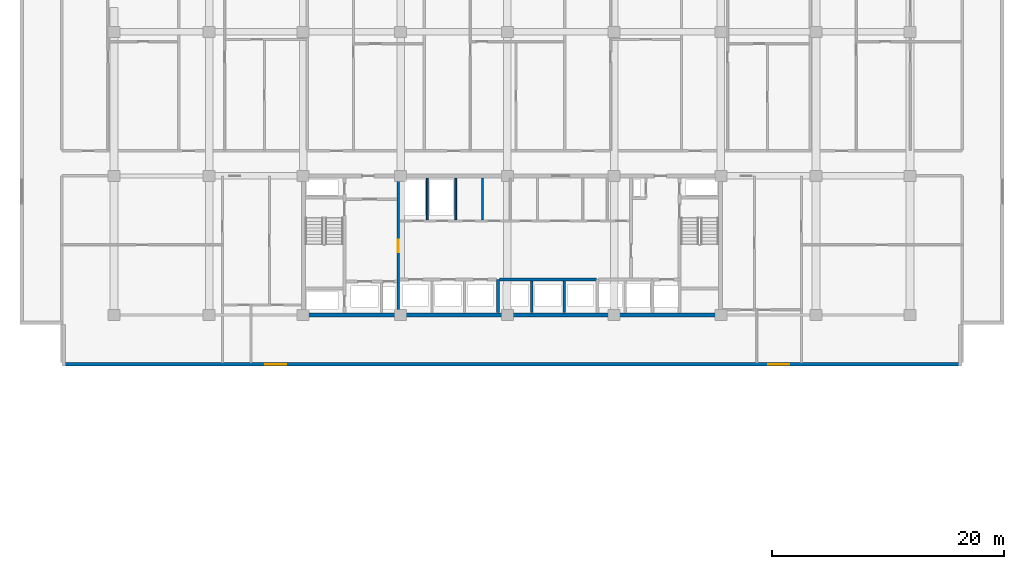
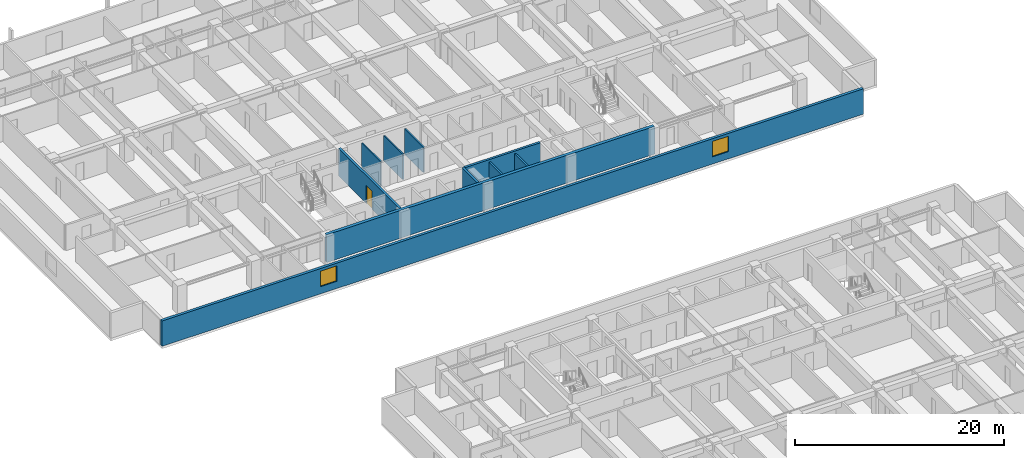
# One storey, part 11 of 23: 10 walls, 2 windows, 1 door, 3 openings.
"""IFC4 building model written with IfcOpenShell, lengths in metres."""

from ifc_helpers import new_model, si_unit, direction, frame, frame_2d, origin, place, context, subcontext, project, spatial, rectangle, extrude, material, layer, layer_set, type_object, element, fill, save


model = new_model("IFC4")

# Units and contexts
model_context = context("Model", 3, precision=1e-05, world=origin(), true_north=direction((0.0, 1.0)))
body_context = subcontext(model_context, "Body", "Model", "MODEL_VIEW")
ifc_project = project(units=[si_unit("LENGTHUNIT", "METRE"), si_unit("AREAUNIT", "SQUARE_METRE"), si_unit("VOLUMEUNIT", "CUBIC_METRE"), si_unit("PLANEANGLEUNIT", "RADIAN"), si_unit("MASSUNIT", "GRAM", prefix="KILO")], contexts=[model_context])

# Site, building, storey
site_placement = place(None, origin())
site = spatial("IfcSite", under=ifc_project, at=site_placement, CompositionType="ELEMENT")
building_placement = place(site_placement, origin())
building = spatial("IfcBuilding", under=site, at=building_placement, Name="Korimba Cascade Residences", CompositionType="ELEMENT")
storey_placement = place(building_placement, frame((0.0, 0.0, 30.5)))
storey = spatial("IfcBuildingStorey", under=building, at=storey_placement, Name="L07", CompositionType="ELEMENT", Elevation=30.5)

# Wall, openings, windows
ifc_material_1 = material(Name="Precast concrete C40/50", Category="concrete")
ifc_layer_1 = layer(ifc_material_1, 0.300048828125)
ifc_layer_set_1 = layer_set([ifc_layer_1], Name="Precast concrete C40/50")
wall_type_1 = type_object("IfcWallType", Name="EW-STONE-300", PredefinedType="STANDARD", material=ifc_layer_set_1)
wall_1_placement = place(storey_placement, frame((55.300048828125, 50.949951171875, 0.0), z_axis=(0.0, 0.0, 1.0), x_axis=(1.0, 0.0, 0.0)))
wall_1 = element("IfcWall", 1, at=wall_1_placement, inside=storey, type_object=wall_type_1, Name="L07 T1 Perimeter Stone Wall E00", PredefinedType="STANDARD", context=body_context, shape_type="SweptSolid", body=[
    extrude(rectangle(XDim=77.599853515625, YDim=0.300048828125, at=frame_2d((38.7998046875, 0.0))), origin(), (0.0, 0.0, 1.0), 2.969970703125),
])
opening_1_placement = place(wall_1_placement, frame((17.52490234375, 0.0, 0.85009765625)))
opening_1 = element("IfcOpeningElement", 2, at=opening_1_placement, cuts=wall_1, Name="Opening W-02", PredefinedType="OPENING", context=body_context, shape_type="SweptSolid", body=[
    extrude(rectangle(XDim=1.800048828125, YDim=1.800048828125, at=frame_2d((0.89990234375, 0.89990234375))), frame((0.0, 0.16015625, 0.0), z_axis=(0.0, -1.0, 0.0), x_axis=(1.0, 0.0, 0.0)), (0.0, 0.0, 1.0), 0.320068359375),
])
opening_2_placement = place(wall_1_placement, frame((60.875, 0.0, 0.85009765625)))
opening_2 = element("IfcOpeningElement", 3, at=opening_2_placement, cuts=wall_1, Name="Opening W-02", PredefinedType="OPENING", context=body_context, shape_type="SweptSolid", body=[
    extrude(rectangle(XDim=1.800048828125, YDim=1.800048828125, at=frame_2d((0.89990234375, 0.89990234375))), frame((0.0, 0.16015625, 0.0), z_axis=(0.0, -1.0, 0.0), x_axis=(1.0, 0.0, 0.0)), (0.0, 0.0, 1.0), 0.320068359375),
])
ifc_material_2 = material(Name="Double-Glazed Aluminium Window", Category="aluminium")
window_type = type_object("IfcWindowType", Name="WIN-BED-1800", PartitioningType="SINGLE_PANEL", PredefinedType="WINDOW", material=ifc_material_2)
window_1_placement = place(opening_1_placement, origin())
window_1 = element("IfcWindow", 4, at=window_1_placement, inside=storey, type_object=window_type, Name="L07 T1 South Corner Bedroom Window 1", OverallHeight=1.800048828125, OverallWidth=1.800048828125, PartitioningType="SINGLE_PANEL", PredefinedType="WINDOW", context=body_context, shape_type="SweptSolid", body=[
    extrude(rectangle(XDim=1.800048828125, YDim=1.800048828125, at=frame_2d((0.89990234375, 0.89990234375))), frame((0.0, 0.030029296875, 0.0), z_axis=(0.0, -1.0, 0.0), x_axis=(1.0, 0.0, 0.0)), (0.0, 0.0, 1.0), 0.06005859375),
])
fill(opening_1, window_1)
window_2_placement = place(opening_2_placement, origin())
window_2 = element("IfcWindow", 5, at=window_2_placement, inside=storey, type_object=window_type, Name="L07 T1 South Corner Bedroom Window 2", OverallHeight=1.800048828125, OverallWidth=1.800048828125, PartitioningType="SINGLE_PANEL", PredefinedType="WINDOW", context=body_context, shape_type="SweptSolid", body=[
    extrude(rectangle(XDim=1.800048828125, YDim=1.800048828125, at=frame_2d((0.89990234375, 0.89990234375))), frame((0.0, 0.030029296875, 0.0), z_axis=(0.0, -1.0, 0.0), x_axis=(1.0, 0.0, 0.0)), (0.0, 0.0, 1.0), 0.06005859375),
])
fill(opening_2, window_2)

# Walls
ifc_material_3 = material(Name="Concrete C65/80", Category="concrete")
ifc_layer_2 = layer(ifc_material_3, 0.35009765625)
ifc_layer_set_2 = layer_set([ifc_layer_2], Name="Concrete C65/80")
wall_type_2 = type_object("IfcWallType", Name="WAL-CORE-350", PredefinedType="SHEAR", material=ifc_layer_set_2)
wall_2_placement = place(storey_placement, frame((75.949951171875, 55.199951171875, 0.0), z_axis=(0.0, 0.0, 1.0), x_axis=(1.0, 0.0, 0.0)))
element("IfcWall", 6, at=wall_2_placement, inside=storey, type_object=wall_type_2, Name="L07 Core Shear Wall CW-L07-T1-S", PredefinedType="SHEAR", context=body_context, shape_type="SweptSolid", body=[
    extrude(rectangle(XDim=36.300048828125, YDim=0.35009765625, at=frame_2d((18.14990234375, 0.0))), origin(), (0.0, 0.0, 1.0), 3.25),
])
ifc_material_4 = material(Name="Insulated Acoustic Stud Partition", Category="gypsum")
ifc_layer_3 = layer(ifc_material_4, 0.14990234375)
ifc_layer_set_3 = layer_set([ifc_layer_3], Name="Insulated Acoustic Stud Partition")
wall_type_3 = type_object("IfcWallType", Name="WAL-PART-150", PredefinedType="PARTITIONING", material=ifc_layer_set_3)
for number, where, z_axis, x_axis, name in (
    (7, (86.800048828125, 63.39990234375, 0.0), (0.0, 0.0, 1.0), (0.0, 1.0, 0.0), "L07 Partition Wall CW-L07-T1-ERDIV"),
    (8, (89.25, 63.39990234375, 0.0), (0.0, 0.0, 1.0), (0.0, 1.0, 0.0), "L07 Partition Wall CW-L07-T1-PRDIV"),
    (9, (91.550048828125, 63.39990234375, 0.0), (0.0, 0.0, 1.0), (0.0, 1.0, 0.0), "L07 Partition Wall CW-L07-T1-CA1W1"),
):
    element("IfcWall", number, at=place(storey_placement, frame(where, z_axis=z_axis, x_axis=x_axis)), inside=storey, type_object=wall_type_3, Name=name, PredefinedType="PARTITIONING", context=body_context, shape_type="SweptSolid", body=[
        extrude(rectangle(XDim=3.60009765625, YDim=0.14990234375, at=frame_2d((1.800048828125, 0.0))), origin(), (0.0, 0.0, 1.0), 2.969970703125),
    ])
ifc_material_5 = material(Name="Concrete C40/50", Category="concrete")
ifc_layer_4 = layer(ifc_material_5, 0.199951171875)
ifc_layer_set_4 = layer_set([ifc_layer_4], Name="Concrete C40/50")
wall_type_4 = type_object("IfcWallType", Name="WAL-PART-200", PredefinedType="PARTITIONING", material=ifc_layer_set_4)
for number, where, z_axis, x_axis, name in (
    (10, (95.800048828125, 55.39990234375, 0.0), (0.0, 0.0, 1.0), (0.0, 1.0, 0.0), "L07 Partition Wall CW-L07-T1-B2D1"),
    (11, (98.60009765625, 55.39990234375, 0.0), (0.0, 0.0, 1.0), (0.0, 1.0, 0.0), "L07 Partition Wall CW-L07-T1-B2D2"),
):
    element("IfcWall", number, at=place(storey_placement, frame(where, z_axis=z_axis, x_axis=x_axis)), inside=storey, type_object=wall_type_4, Name=name, PredefinedType="PARTITIONING", context=body_context, shape_type="SweptSolid", body=[
        extrude(rectangle(XDim=2.72021484375, YDim=0.199951171875, at=frame_2d((1.360107421875, 0.0))), origin(), (0.0, 0.0, 1.0), 2.969970703125),
    ])

# Wall, opening, door
ifc_material_6 = material(Name="Concrete C50/60", Category="concrete")
ifc_layer_5 = layer(ifc_material_6, 0.25)
ifc_layer_set_5 = layer_set([ifc_layer_5], Name="Concrete C50/60")
wall_type_5 = type_object("IfcWallType", Name="WAL-SHAFT-250", PredefinedType="SHEAR", material=ifc_layer_set_5)
wall_3_placement = place(storey_placement, frame((84.300048828125, 55.39990234375, 0.0), z_axis=(0.0, 0.0, 1.0), x_axis=(0.0, 1.0, 0.0)))
wall_3 = element("IfcWall", 12, at=wall_3_placement, inside=storey, type_object=wall_type_5, Name="L07 Core Shear Wall CW-L07-T1-FFLE", PredefinedType="SHEAR", context=body_context, shape_type="SweptSolid", body=[
    extrude(rectangle(XDim=11.60009765625, YDim=0.25, at=frame_2d((5.800048828125, 0.0))), origin(), (0.0, 0.0, 1.0), 3.25),
])
opening_3_placement = place(wall_3_placement, frame((5.199951171875, 0.0, 0.0)))
opening_3 = element("IfcOpeningElement", 13, at=opening_3_placement, cuts=wall_3, Name="Opening D-FD1", PredefinedType="OPENING", context=body_context, shape_type="SweptSolid", body=[
    extrude(rectangle(XDim=1.10009765625, YDim=2.10009765625, at=frame_2d((0.550048828125, 1.050048828125))), frame((0.0, 0.135009765625, 0.0), z_axis=(0.0, -1.0, 0.0), x_axis=(1.0, 0.0, 0.0)), (0.0, 0.0, 1.0), 0.27001953125),
])
ifc_material_7 = material(Name="Fire-Rated Steel Core Door", Category="steel")
door_type = type_object("IfcDoorType", Name="DR-FD120-1100", OperationType="NOTDEFINED", PredefinedType="DOOR", material=ifc_material_7)
door_placement = place(opening_3_placement, origin())
door = element("IfcDoor", 14, at=door_placement, inside=storey, type_object=door_type, Name="L07 Firefighting Lobby to Lift Lobby Door", OperationType="SINGLE_SWING_RIGHT", OverallHeight=2.10009765625, OverallWidth=1.10009765625, PredefinedType="DOOR", context=body_context, shape_type="SweptSolid", body=[
    extrude(rectangle(XDim=1.10009765625, YDim=2.10009765625, at=frame_2d((0.550048828125, 1.050048828125))), frame((0.0, 0.02490234375, 0.0), z_axis=(0.0, -1.0, 0.0), x_axis=(1.0, 0.0, 0.0)), (0.0, 0.0, 1.0), 0.050048828125),
])
fill(opening_3, door)

# Walls
wall_4_placement = place(storey_placement, frame((92.89990234375, 55.39990234375, 0.0), z_axis=(0.0, 0.0, 1.0), x_axis=(0.0, 1.0, 0.0)))
element("IfcWall", 15, at=wall_4_placement, inside=storey, type_object=wall_type_5, Name="L07 Core Shear Wall CW-L07-T1-B12DIV", PredefinedType="SHEAR", context=body_context, shape_type="SweptSolid", body=[
    extrude(rectangle(XDim=2.85009765625, YDim=0.25, at=frame_2d((1.425048828125, 0.0))), origin(), (0.0, 0.0, 1.0), 3.25),
])
wall_5_placement = place(storey_placement, frame((93.02001953125, 58.25, 0.0), z_axis=(0.0, 0.0, 1.0), x_axis=(1.0, 0.0, 0.0)))
element("IfcWall", 16, at=wall_5_placement, inside=storey, type_object=wall_type_5, Name="L07 Core Shear Wall CW-L07-T1-B2N", PredefinedType="SHEAR", context=body_context, shape_type="SweptSolid", body=[
    extrude(rectangle(XDim=8.35986328125, YDim=0.25, at=frame_2d((4.179931640625, 0.0))), origin(), (0.0, 0.0, 1.0), 3.25),
])

save(model, "model.ifc")
